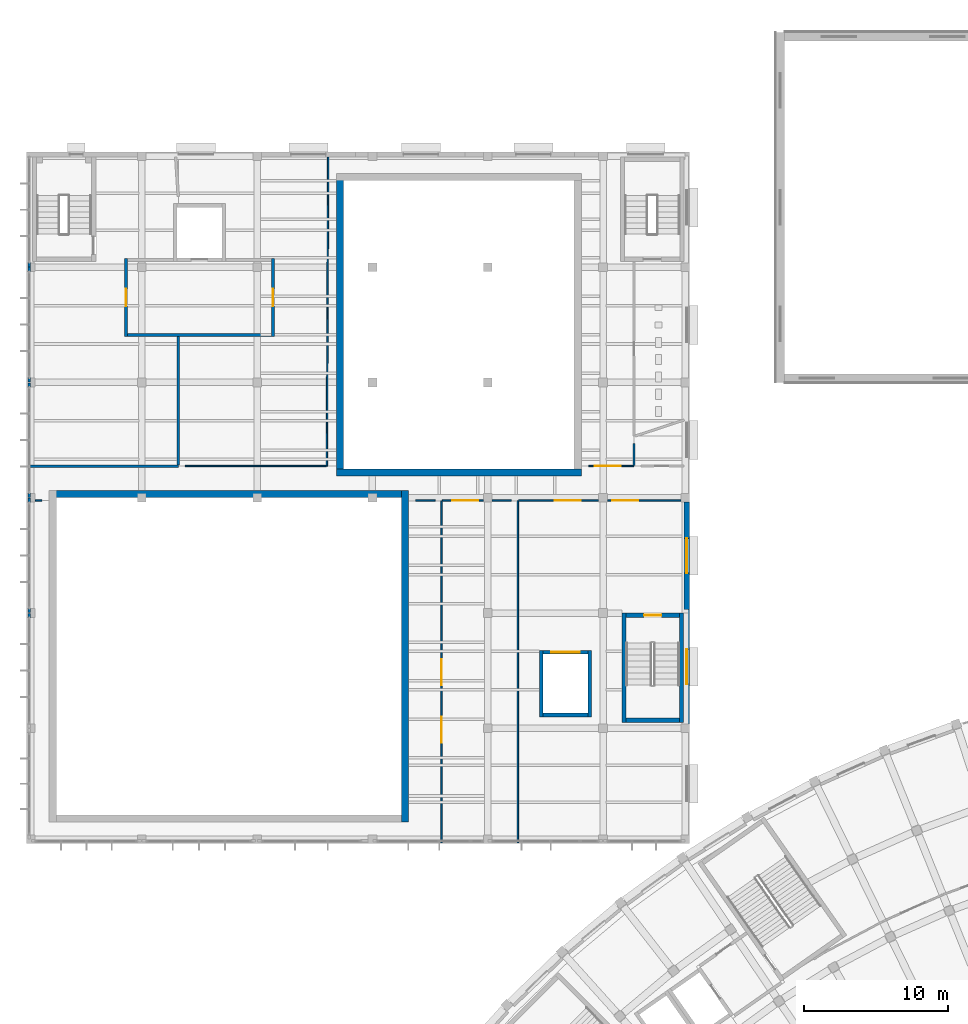
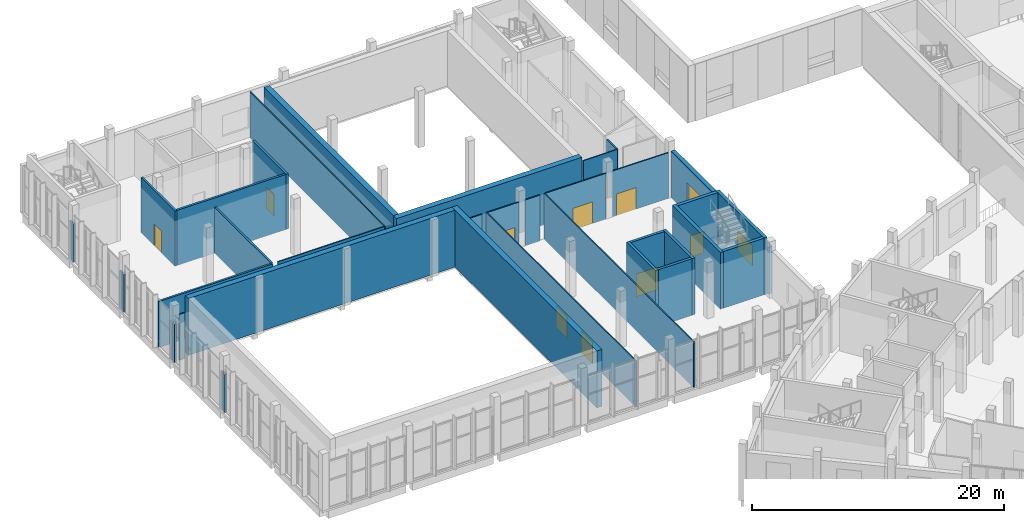
# One storey, part 36 of 87: 39 walls, 10 doors, 2 windows, 12 openings.
"""IFC4 building model written with IfcOpenShell, lengths in metres."""

from ifc_helpers import new_model, si_unit, direction, frame, frame_2d, origin, place, context, subcontext, project, spatial, rectangle, extrude, material, layer, layer_set, type_object, element, fill, save


model = new_model("IFC4")

# Units and contexts
model_context = context("Model", 3, precision=1e-05, world=origin(), true_north=direction((0.0, 1.0)))
body_context = subcontext(model_context, "Body", "Model", "MODEL_VIEW")
ifc_project = project(units=[si_unit("LENGTHUNIT", "METRE"), si_unit("AREAUNIT", "SQUARE_METRE"), si_unit("VOLUMEUNIT", "CUBIC_METRE"), si_unit("PLANEANGLEUNIT", "RADIAN"), si_unit("MASSUNIT", "GRAM", prefix="KILO")], contexts=[model_context])

# Site, building, storey
site_placement = place(None, origin())
site = spatial("IfcSite", under=ifc_project, at=site_placement, CompositionType="ELEMENT")
building_placement = place(site_placement, origin())
building = spatial("IfcBuilding", under=site, at=building_placement, Name="Lunette Opera House", CompositionType="ELEMENT")
storey_placement = place(building_placement, frame((0.0, 0.0, 11.5)))
storey = spatial("IfcBuildingStorey", under=building, at=storey_placement, Name="L02", CompositionType="ELEMENT", Elevation=11.5)

# Walls
ifc_material_1 = material(Name="Plastered clay blockwork", Category="masonry")
ifc_layer_1 = layer(ifc_material_1, 0.175048828125)
ifc_layer_set_1 = layer_set([ifc_layer_1], Name="Plastered clay blockwork")
wall_type_1 = type_object("IfcWallType", Name="ACOUSTIC BLOCK PARTITION 175", PredefinedType="PARTITIONING", material=ifc_layer_set_1)
wall_1_placement = place(storey_placement, frame((18.52392578125, 90.199951171875, 0.0), z_axis=(0.0, 0.0, 1.0), x_axis=(-1.0, 0.0, 0.0)))
element("IfcWall", 1, at=wall_1_placement, inside=storey, type_object=wall_type_1, Name="Partition Corridor L02 Rehearsal", PredefinedType="PARTITIONING", context=body_context, shape_type="SweptSolid", body=[
    extrude(rectangle(XDim=10.473876953125, YDim=0.175048828125, at=frame_2d((5.23681640625, 0.0))), origin(), (0.0, 0.0, 1.0), 4.449951171875),
])
wall_2_placement = place(storey_placement, frame((18.52392578125, 99.199951171875, 0.0), z_axis=(0.0, 0.0, 1.0), x_axis=(0.0, -1.0, 0.0)))
element("IfcWall", 2, at=wall_2_placement, inside=storey, type_object=wall_type_1, Name="Partition Soloists' Studio", PredefinedType="PARTITIONING", context=body_context, shape_type="SweptSolid", body=[
    extrude(rectangle(XDim=8.911865234375, YDim=0.175048828125, at=frame_2d((4.4560546875, 0.0))), origin(), (0.0, 0.0, 1.0), 4.449951171875),
])
ifc_material_2 = material(Name="Plastered clay blockwork", Category="masonry")
ifc_layer_2 = layer(ifc_material_2, 0.14990234375)
ifc_layer_set_2 = layer_set([ifc_layer_2], Name="Plastered clay blockwork")
wall_type_2 = type_object("IfcWallType", Name="BLOCK PARTITION 150", PredefinedType="PARTITIONING", material=ifc_layer_set_2)
wall_3_placement = place(storey_placement, frame((50.14892578125, 91.778076171875, 0.0), z_axis=(0.0, 0.0, 1.0), x_axis=(0.0, -1.0, 0.0)))
element("IfcWall", 3, at=wall_3_placement, inside=storey, type_object=wall_type_2, Name="Partition Accessible WC L02 Rehearsal", PredefinedType="PARTITIONING", context=body_context, shape_type="SweptSolid", body=[
    extrude(rectangle(XDim=1.527099609375, YDim=0.14990234375, at=frame_2d((0.763671875, 0.0))), origin(), (0.0, 0.0, 1.0), 4.449951171875),
])
ifc_material_3 = material(Name="Insulated aluminium sandwich panel", Category="aluminium")
ifc_layer_3 = layer(ifc_material_3, 0.179931640625)
ifc_layer_set_3 = layer_set([ifc_layer_3], Name="Insulated aluminium sandwich panel")
wall_type_3 = type_object("IfcWallType", Name="CURTAIN WALL INFILL 180", PredefinedType="SOLIDWALL", material=ifc_layer_set_3)
for number, where, z_axis, x_axis, name in (
    (4, (8.181884765625, 104.330078125, 0.0), (0.0, 0.0, 1.0), (0.0, -1.0, 0.0), "Curtain Wall Infill 180 IN61 L02"),
    (5, (8.181884765625, 96.330078125, 0.0), (0.0, 0.0, 1.0), (0.0, -1.0, 0.0), "Curtain Wall Infill 180 IN62 L02"),
):
    element("IfcWall", number, at=place(storey_placement, frame(where, z_axis=z_axis, x_axis=x_axis)), inside=storey, type_object=wall_type_3, Name=name, PredefinedType="SOLIDWALL", context=body_context, shape_type="SweptSolid", body=[
        extrude(rectangle(XDim=0.30517578125, YDim=0.179931640625, at=frame_2d((0.152587890625, 0.0))), origin(), (0.0, 0.0, 1.0), 3.699951171875),
    ])
wall_4_placement = place(storey_placement, frame((8.181884765625, 103.696044921875, 0.0), z_axis=(0.0, 0.0, 1.0), x_axis=(0.0, 1.0, 0.0)))
element("IfcWall", 6, at=wall_4_placement, inside=storey, type_object=wall_type_3, Name="Curtain Wall Infill 180 IN63 L02", PredefinedType="SOLIDWALL", context=body_context, shape_type="SweptSolid", body=[
    extrude(rectangle(XDim=0.304931640625, YDim=0.179931640625, at=frame_2d((0.15234375, 0.0))), origin(), (0.0, 0.0, 1.0), 3.699951171875),
])
for number, where, z_axis, x_axis, name in (
    (7, (8.181884765625, 88.330078125, 0.0), (0.0, 0.0, 1.0), (0.0, -1.0, 0.0), "Curtain Wall Infill 180 IN64 L02"),
    (8, (8.181884765625, 95.669921875, 0.0), (0.0, 0.0, 1.0), (0.0, 1.0, 0.0), "Curtain Wall Infill 180 IN65 L02"),
    (9, (8.181884765625, 80.330078125, 0.0), (0.0, 0.0, 1.0), (0.0, -1.0, 0.0), "Curtain Wall Infill 180 IN66 L02"),
    (10, (8.181884765625, 87.669921875, 0.0), (0.0, 0.0, 1.0), (0.0, 1.0, 0.0), "Curtain Wall Infill 180 IN67 L02"),
    (11, (8.181884765625, 79.669921875, 0.0), (0.0, 0.0, 1.0), (0.0, 1.0, 0.0), "Curtain Wall Infill 180 IN69 L02"),
):
    element("IfcWall", number, at=place(storey_placement, frame(where, z_axis=z_axis, x_axis=x_axis)), inside=storey, type_object=wall_type_3, Name=name, PredefinedType="SOLIDWALL", context=body_context, shape_type="SweptSolid", body=[
        extrude(rectangle(XDim=0.30517578125, YDim=0.179931640625, at=frame_2d((0.152587890625, 0.0))), origin(), (0.0, 0.0, 1.0), 3.699951171875),
    ])

# Wall, opening, door
ifc_material_4 = material(Name="Concrete C35/45", Category="concrete")
ifc_layer_4 = layer(ifc_material_4, 0.199951171875)
ifc_layer_set_4 = layer_set([ifc_layer_4], Name="Concrete C35/45")
wall_type_4 = type_object("IfcWallType", Name="LOBBY WALL 200", PredefinedType="PARTITIONING", material=ifc_layer_set_4)
wall_5_placement = place(storey_placement, frame((25.10009765625, 99.199951171875, 0.0), z_axis=(0.0, 0.0, 1.0), x_axis=(0.0, 1.0, 0.0)))
wall_5 = element("IfcWall", 12, at=wall_5_placement, inside=storey, type_object=wall_type_4, Name="LL-R lobby wall 1a", PredefinedType="PARTITIONING", context=body_context, shape_type="SweptSolid", body=[
    extrude(rectangle(XDim=5.400146484375, YDim=0.199951171875, at=frame_2d((2.7001953125, 0.0))), origin(), (0.0, 0.0, 1.0), 5.35009765625),
])
opening_1_placement = place(wall_5_placement, frame((2.10009765625, 0.0, 0.0)))
opening_1 = element("IfcOpeningElement", 13, at=opening_1_placement, cuts=wall_5, Name="Opening RW-D7023", PredefinedType="OPENING", context=body_context, shape_type="SweptSolid", body=[
    extrude(rectangle(XDim=1.199951171875, YDim=2.10009765625, at=frame_2d((0.60009765625, 1.050048828125))), frame((0.0, 0.112060546875, 0.0), z_axis=(0.0, -1.0, 0.0), x_axis=(1.0, 0.0, 0.0)), (0.0, 0.0, 1.0), 0.223876953125),
])
ifc_material_5 = material(Name="Steel", Category="steel")
door_type_1 = type_object("IfcDoorType", Name="FIRE DOOR 1200 X 2100", OperationType="SINGLE_SWING_LEFT", PredefinedType="DOOR", material=ifc_material_5)
door_1_placement = place(opening_1_placement, origin())
door_1 = element("IfcDoor", 14, at=door_1_placement, inside=storey, type_object=door_type_1, Name="LL-R lobby door", OperationType="SINGLE_SWING_LEFT", OverallHeight=2.10009765625, OverallWidth=1.199951171875, PredefinedType="DOOR", context=body_context, shape_type="SweptSolid", body=[
    extrude(rectangle(XDim=1.199951171875, YDim=2.10009765625, at=frame_2d((0.60009765625, 1.050048828125))), frame((0.0, 0.02490234375, 0.0), z_axis=(0.0, -1.0, 0.0), x_axis=(1.0, 0.0, 0.0)), (0.0, 0.0, 1.0), 0.050048828125),
])
fill(opening_1, door_1)

wall_6_placement = place(storey_placement, frame((14.89990234375, 104.60009765625, 0.0), z_axis=(0.0, 0.0, 1.0), x_axis=(0.0, -1.0, 0.0)))
wall_6 = element("IfcWall", 15, at=wall_6_placement, inside=storey, type_object=wall_type_4, Name="LL-R lobby wall 3a", PredefinedType="PARTITIONING", context=body_context, shape_type="SweptSolid", body=[
    extrude(rectangle(XDim=5.400146484375, YDim=0.199951171875, at=frame_2d((2.7001953125, 0.0))), origin(), (0.0, 0.0, 1.0), 5.35009765625),
])
opening_2_placement = place(wall_6_placement, frame((2.10009765625, 0.0, 0.0)))
opening_2 = element("IfcOpeningElement", 16, at=opening_2_placement, cuts=wall_6, Name="Opening RW-D7024", PredefinedType="OPENING", context=body_context, shape_type="SweptSolid", body=[
    extrude(rectangle(XDim=1.199951171875, YDim=2.10009765625, at=frame_2d((0.60009765625, 1.050048828125))), frame((0.0, 0.112060546875, 0.0), z_axis=(0.0, -1.0, 0.0), x_axis=(1.0, 0.0, 0.0)), (0.0, 0.0, 1.0), 0.223876953125),
])
door_2_placement = place(opening_2_placement, origin())
door_2 = element("IfcDoor", 17, at=door_2_placement, inside=storey, type_object=door_type_1, Name="LL-R lobby door", OperationType="SINGLE_SWING_LEFT", OverallHeight=2.10009765625, OverallWidth=1.199951171875, PredefinedType="DOOR", context=body_context, shape_type="SweptSolid", body=[
    extrude(rectangle(XDim=1.199951171875, YDim=2.10009765625, at=frame_2d((0.60009765625, 1.050048828125))), frame((0.0, 0.02490234375, 0.0), z_axis=(0.0, -1.0, 0.0), x_axis=(1.0, 0.0, 0.0)), (0.0, 0.0, 1.0), 0.050048828125),
])
fill(opening_2, door_2)

# Walls
wall_7_placement = place(storey_placement, frame((15.0, 99.300048828125, 0.0), z_axis=(0.0, 0.0, 1.0), x_axis=(1.0, 0.0, 0.0)))
element("IfcWall", 18, at=wall_7_placement, inside=storey, type_object=wall_type_4, Name="LL-R lobby wall 4a", PredefinedType="PARTITIONING", context=body_context, shape_type="SweptSolid", body=[
    extrude(rectangle(XDim=10.0, YDim=0.199951171875, at=frame_2d((5.0, 0.0))), origin(), (0.0, 0.0, 1.0), 5.35009765625),
])
ifc_material_6 = material(Name="Concrete C35/45", Category="concrete")
ifc_layer_5 = layer(ifc_material_6, 0.25)
ifc_layer_set_5 = layer_set([ifc_layer_5], Name="Concrete C35/45")
wall_type_5 = type_object("IfcWallType", Name="RC LIFT SHAFT WALL 250", PredefinedType="SOLIDWALL", material=ifc_layer_set_5)
wall_8_placement = place(storey_placement, frame((47.074951171875, 72.800048828125, 0.0), z_axis=(0.0, 0.0, 1.0), x_axis=(0.0, 1.0, 0.0)))
element("IfcWall", 19, at=wall_8_placement, inside=storey, type_object=wall_type_5, Name="LG1 shaft wall 1", PredefinedType="SOLIDWALL", context=body_context, shape_type="SweptSolid", body=[
    extrude(rectangle(XDim=4.599853515625, YDim=0.25, at=frame_2d((2.2998046875, 0.0))), origin(), (0.0, 0.0, 1.0), 5.5),
])

# Wall, opening, door
wall_9_placement = place(storey_placement, frame((46.949951171875, 77.27490234375, 0.0), z_axis=(0.0, 0.0, 1.0), x_axis=(-1.0, 0.0, 0.0)))
wall_9 = element("IfcWall", 20, at=wall_9_placement, inside=storey, type_object=wall_type_5, Name="LG1 shaft wall 2", PredefinedType="SOLIDWALL", context=body_context, shape_type="SweptSolid", body=[
    extrude(rectangle(XDim=3.099853515625, YDim=0.25, at=frame_2d((1.5498046875, 0.0))), origin(), (0.0, 0.0, 1.0), 5.5),
])
opening_3_placement = place(wall_9_placement, frame((0.550048828125, 0.0, 0.0)))
opening_3 = element("IfcOpeningElement", 21, at=opening_3_placement, cuts=wall_9, Name="Opening RW-LD010", PredefinedType="OPENING", context=body_context, shape_type="SweptSolid", body=[
    extrude(rectangle(XDim=2.0, YDim=2.199951171875, at=frame_2d((1.0, 1.10009765625))), frame((0.0, 0.136962890625, 0.0), z_axis=(0.0, -1.0, 0.0), x_axis=(1.0, 0.0, 0.0)), (0.0, 0.0, 1.0), 0.27392578125),
])
ifc_material_7 = material(Name="Stainless steel", Category="steel")
door_type_2 = type_object("IfcDoorType", Name="LIFT LANDING DOOR 2000 X 2200", OperationType="DOUBLE_DOOR_SLIDING", PredefinedType="DOOR", material=ifc_material_7)
door_3_placement = place(opening_3_placement, origin())
door_3 = element("IfcDoor", 22, at=door_3_placement, inside=storey, type_object=door_type_2, Name="LG1 lift landing door", OperationType="DOUBLE_DOOR_SLIDING", OverallHeight=2.199951171875, OverallWidth=2.0, PredefinedType="DOOR", context=body_context, shape_type="SweptSolid", body=[
    extrude(rectangle(XDim=2.0, YDim=2.199951171875, at=frame_2d((1.0, 1.10009765625))), frame((0.0, 0.02490234375, 0.0), z_axis=(0.0, -1.0, 0.0), x_axis=(1.0, 0.0, 0.0)), (0.0, 0.0, 1.0), 0.050048828125),
])
fill(opening_3, door_3)

# Walls
wall_10_placement = place(storey_placement, frame((43.72509765625, 77.39990234375, 0.0), z_axis=(0.0, 0.0, 1.0), x_axis=(0.0, -1.0, 0.0)))
element("IfcWall", 23, at=wall_10_placement, inside=storey, type_object=wall_type_5, Name="LG1 shaft wall 3", PredefinedType="SOLIDWALL", context=body_context, shape_type="SweptSolid", body=[
    extrude(rectangle(XDim=4.599853515625, YDim=0.25, at=frame_2d((2.2998046875, 0.0))), origin(), (0.0, 0.0, 1.0), 5.5),
])
wall_11_placement = place(storey_placement, frame((43.85009765625, 72.925048828125, 0.0), z_axis=(0.0, 0.0, 1.0), x_axis=(1.0, 0.0, 0.0)))
element("IfcWall", 24, at=wall_11_placement, inside=storey, type_object=wall_type_5, Name="LG1 shaft wall 4", PredefinedType="SOLIDWALL", context=body_context, shape_type="SweptSolid", body=[
    extrude(rectangle(XDim=3.099853515625, YDim=0.25, at=frame_2d((1.5498046875, 0.0))), origin(), (0.0, 0.0, 1.0), 5.5),
])
ifc_material_8 = material(Name="Concrete C35/45", Category="concrete")
ifc_layer_6 = layer(ifc_material_8, 0.300048828125)
ifc_layer_set_6 = layer_set([ifc_layer_6], Name="Concrete C35/45")
wall_type_6 = type_object("IfcWallType", Name="RC STAIR ENCLOSURE WALL 300", PredefinedType="SOLIDWALL", material=ifc_layer_set_6)
wall_12_placement = place(storey_placement, frame((53.449951171875, 72.39990234375, 0.0), z_axis=(0.0, 0.0, 1.0), x_axis=(0.0, 1.0, 0.0)))
element("IfcWall", 25, at=wall_12_placement, inside=storey, type_object=wall_type_6, Name="ST16 enclosure wall 1", PredefinedType="SOLIDWALL", context=body_context, shape_type="SweptSolid", body=[
    extrude(rectangle(XDim=7.60009765625, YDim=0.300048828125, at=frame_2d((3.800048828125, 0.0))), origin(), (0.0, 0.0, 1.0), 5.5),
])

# Wall, opening, door
wall_13_placement = place(storey_placement, frame((53.300048828125, 79.85009765625, 0.0), z_axis=(0.0, 0.0, 1.0), x_axis=(-1.0, 0.0, 0.0)))
wall_13 = element("IfcWall", 26, at=wall_13_placement, inside=storey, type_object=wall_type_6, Name="ST16 enclosure wall 2", PredefinedType="SOLIDWALL", context=body_context, shape_type="SweptSolid", body=[
    extrude(rectangle(XDim=3.699951171875, YDim=0.300048828125, at=frame_2d((1.85009765625, 0.0))), origin(), (0.0, 0.0, 1.0), 5.5),
])
opening_4_placement = place(wall_13_placement, frame((1.25, 0.0, 0.0)))
opening_4 = element("IfcOpeningElement", 27, at=opening_4_placement, cuts=wall_13, Name="Opening RW-D7010", PredefinedType="OPENING", context=body_context, shape_type="SweptSolid", body=[
    extrude(rectangle(XDim=1.199951171875, YDim=2.10009765625, at=frame_2d((0.60009765625, 1.050048828125))), frame((0.0, 0.162109375, 0.0), z_axis=(0.0, -1.0, 0.0), x_axis=(1.0, 0.0, 0.0)), (0.0, 0.0, 1.0), 0.323974609375),
])
door_4_placement = place(opening_4_placement, origin())
door_4 = element("IfcDoor", 28, at=door_4_placement, inside=storey, type_object=door_type_1, Name="ST16 stair door", OperationType="SINGLE_SWING_LEFT", OverallHeight=2.10009765625, OverallWidth=1.199951171875, PredefinedType="DOOR", context=body_context, shape_type="SweptSolid", body=[
    extrude(rectangle(XDim=1.199951171875, YDim=2.10009765625, at=frame_2d((0.60009765625, 1.050048828125))), frame((0.0, 0.02490234375, 0.0), z_axis=(0.0, -1.0, 0.0), x_axis=(1.0, 0.0, 0.0)), (0.0, 0.0, 1.0), 0.050048828125),
])
fill(opening_4, door_4)

# Walls
wall_14_placement = place(storey_placement, frame((49.449951171875, 80.0, 0.0), z_axis=(0.0, 0.0, 1.0), x_axis=(0.0, -1.0, 0.0)))
element("IfcWall", 29, at=wall_14_placement, inside=storey, type_object=wall_type_6, Name="ST16 enclosure wall 3", PredefinedType="SOLIDWALL", context=body_context, shape_type="SweptSolid", body=[
    extrude(rectangle(XDim=7.60009765625, YDim=0.300048828125, at=frame_2d((3.800048828125, 0.0))), origin(), (0.0, 0.0, 1.0), 5.5),
])
wall_15_placement = place(storey_placement, frame((49.60009765625, 72.550048828125, 0.0), z_axis=(0.0, 0.0, 1.0), x_axis=(1.0, 0.0, 0.0)))
element("IfcWall", 30, at=wall_15_placement, inside=storey, type_object=wall_type_6, Name="ST16 enclosure wall 4", PredefinedType="SOLIDWALL", context=body_context, shape_type="SweptSolid", body=[
    extrude(rectangle(XDim=3.699951171875, YDim=0.300048828125, at=frame_2d((1.85009765625, 0.0))), origin(), (0.0, 0.0, 1.0), 5.5),
])
ifc_material_9 = material(Name="Concrete C35/45", Category="concrete")
ifc_layer_7 = layer(ifc_material_9, 0.5)
ifc_layer_set_7 = layer_set([ifc_layer_7], Name="Concrete C35/45")
wall_type_7 = type_object("IfcWallType", Name="RC WALL 500", PredefinedType="SHEAR", material=ifc_layer_set_7)
wall_16_placement = place(storey_placement, frame((29.5, 89.75, 0.0), z_axis=(0.0, 0.0, 1.0), x_axis=(1.0, 0.0, 0.0)))
element("IfcWall", 31, at=wall_16_placement, inside=storey, type_object=wall_type_7, Name="wall-RW-L02-OH-S-1", PredefinedType="SHEAR", context=body_context, shape_type="SweptSolid", body=[
    extrude(rectangle(XDim=17.0, YDim=0.5, at=frame_2d((8.5, 0.0))), origin(), (0.0, 0.0, 1.0), 5.35009765625),
])
wall_17_placement = place(storey_placement, frame((29.75, 89.5, 0.0), z_axis=(0.0, 0.0, 1.0), x_axis=(0.0, 1.0, 0.0)))
element("IfcWall", 32, at=wall_17_placement, inside=storey, type_object=wall_type_7, Name="wall-RW-L02-OH-W-1", PredefinedType="SHEAR", context=body_context, shape_type="SweptSolid", body=[
    extrude(rectangle(XDim=21.0, YDim=0.5, at=frame_2d((10.5, 0.0))), origin(), (0.0, 0.0, 1.0), 5.35009765625),
])
wall_18_placement = place(storey_placement, frame((9.56005859375, 88.25, 0.0), z_axis=(0.0, 0.0, 1.0), x_axis=(1.0, 0.0, 0.0)))
element("IfcWall", 33, at=wall_18_placement, inside=storey, type_object=wall_type_7, Name="wall-RW-L02-HW-N-1", PredefinedType="SHEAR", context=body_context, shape_type="SweptSolid", body=[
    extrude(rectangle(XDim=24.93994140625, YDim=0.5, at=frame_2d((12.469970703125, 0.0))), origin(), (0.0, 0.0, 1.0), 5.5),
])
wall_19_placement = place(storey_placement, frame((34.25, 65.5, 0.0), z_axis=(0.0, 0.0, 1.0), x_axis=(0.0, 1.0, 0.0)))
element("IfcWall", 34, at=wall_19_placement, inside=storey, type_object=wall_type_7, Name="wall-RW-L02-HW-E-1", PredefinedType="SHEAR", context=body_context, shape_type="SweptSolid", body=[
    extrude(rectangle(XDim=23.0, YDim=0.5, at=frame_2d((11.5, 0.0))), origin(), (0.0, 0.0, 1.0), 5.5),
])

# Wall, opening, window
ifc_material_10 = material(Name="Clinker brick", Category="masonry")
ifc_layer_8 = layer(ifc_material_10, 0.364990234375)
ifc_layer_set_8 = layer_set([ifc_layer_8], Name="Clinker brick")
wall_type_8 = type_object("IfcWallType", Name="REHEARSAL BRICK WALL 365", PredefinedType="SOLIDWALL", material=ifc_layer_set_8)
wall_20_placement = place(storey_placement, frame((53.818115234375, 72.303955078125, 0.0), z_axis=(0.0, 0.0, 1.0), x_axis=(0.0, 1.0, 0.0)))
wall_20 = element("IfcWall", 35, at=wall_20_placement, inside=storey, type_object=wall_type_8, Name="Rehearsal Brick Wall 365 F02 L02", PredefinedType="SOLIDWALL", context=body_context, shape_type="SweptSolid", body=[
    extrude(rectangle(XDim=7.93896484375, YDim=0.364990234375, at=frame_2d((3.969482421875, 0.0))), origin(), (0.0, 0.0, 1.0), 4.550048828125),
])
opening_5_placement = place(wall_20_placement, frame((2.76904296875, 0.0, 1.0)))
opening_5 = element("IfcOpeningElement", 36, at=opening_5_placement, cuts=wall_20, Name="Opening RW-N2026", PredefinedType="OPENING", context=body_context, shape_type="SweptSolid", body=[
    extrude(rectangle(XDim=2.39990234375, YDim=2.0, at=frame_2d((1.199951171875, 1.0))), frame((0.0, 0.194580078125, 0.0), z_axis=(0.0, -1.0, 0.0), x_axis=(1.0, 0.0, 0.0)), (0.0, 0.0, 1.0), 0.388916015625),
])
ifc_material_11 = material(Name="Aluminium", Category="aluminium")
window_type = type_object("IfcWindowType", Name="REHEARSAL WINDOW 2400 X 2000", PartitioningType="DOUBLE_PANEL_VERTICAL", PredefinedType="WINDOW", material=ifc_material_11)
window_1_placement = place(opening_5_placement, origin())
window_1 = element("IfcWindow", 37, at=window_1_placement, inside=storey, type_object=window_type, Name="Rehearsal Window 2400 X 2000 F02 L02", OverallHeight=2.0, OverallWidth=2.39990234375, PartitioningType="DOUBLE_PANEL_VERTICAL", PredefinedType="WINDOW", context=body_context, shape_type="SweptSolid", body=[
    extrude(rectangle(XDim=2.39990234375, YDim=2.0, at=frame_2d((1.199951171875, 1.0))), frame((0.0, 0.030029296875, 0.0), z_axis=(0.0, -1.0, 0.0), x_axis=(1.0, 0.0, 0.0)), (0.0, 0.0, 1.0), 0.06005859375),
])
fill(opening_5, window_1)

wall_21_placement = place(storey_placement, frame((53.818115234375, 80.242919921875, 0.0), z_axis=(0.0, 0.0, 1.0), x_axis=(0.0, 1.0, 0.0)))
wall_21 = element("IfcWall", 38, at=wall_21_placement, inside=storey, type_object=wall_type_8, Name="Rehearsal Brick Wall 365 F03 L02", PredefinedType="SOLIDWALL", context=body_context, shape_type="SweptSolid", body=[
    extrude(rectangle(XDim=7.45703125, YDim=0.364990234375, at=frame_2d((3.728515625, 0.0))), origin(), (0.0, 0.0, 1.0), 4.550048828125),
])
opening_6_placement = place(wall_21_placement, frame((2.529052734375, 0.0, 1.0)))
opening_6 = element("IfcOpeningElement", 39, at=opening_6_placement, cuts=wall_21, Name="Opening RW-N2027", PredefinedType="OPENING", context=body_context, shape_type="SweptSolid", body=[
    extrude(rectangle(XDim=2.39990234375, YDim=2.0, at=frame_2d((1.199951171875, 1.0))), frame((0.0, 0.194580078125, 0.0), z_axis=(0.0, -1.0, 0.0), x_axis=(1.0, 0.0, 0.0)), (0.0, 0.0, 1.0), 0.388916015625),
])
window_2_placement = place(opening_6_placement, origin())
window_2 = element("IfcWindow", 40, at=window_2_placement, inside=storey, type_object=window_type, Name="Rehearsal Window 2400 X 2000 F03 L02", OverallHeight=2.0, OverallWidth=2.39990234375, PartitioningType="DOUBLE_PANEL_VERTICAL", PredefinedType="WINDOW", context=body_context, shape_type="SweptSolid", body=[
    extrude(rectangle(XDim=2.39990234375, YDim=2.0, at=frame_2d((1.199951171875, 1.0))), frame((0.0, 0.030029296875, 0.0), z_axis=(0.0, -1.0, 0.0), x_axis=(1.0, 0.0, 0.0)), (0.0, 0.0, 1.0), 0.06005859375),
])
fill(opening_6, window_2)

# Wall, openings, doors
ifc_material_12 = material(Name="Gypsum board on steel studs", Category="steel")
ifc_layer_9 = layer(ifc_material_12, 0.10009765625)
ifc_layer_set_9 = layer_set([ifc_layer_9], Name="Gypsum board on steel studs")
wall_type_9 = type_object("IfcWallType", Name="STUD PARTITION 100", PredefinedType="PARTITIONING", material=ifc_layer_set_9)
wall_22_placement = place(storey_placement, frame((36.794921875, 87.800048828125, 0.0), z_axis=(0.0, 0.0, 1.0), x_axis=(0.0, -1.0, 0.0)))
wall_22 = element("IfcWall", 41, at=wall_22_placement, inside=storey, type_object=wall_type_9, Name="Partition Repetiteur Rooms", PredefinedType="PARTITIONING", context=body_context, shape_type="SweptSolid", body=[
    extrude(rectangle(XDim=23.75, YDim=0.10009765625, at=frame_2d((11.875, 0.0))), origin(), (0.0, 0.0, 1.0), 4.449951171875),
])
opening_7_placement = place(wall_22_placement, frame((11.0, 0.0, 0.0)))
opening_7 = element("IfcOpeningElement", 42, at=opening_7_placement, cuts=wall_22, Name="Opening RW-D3028", PredefinedType="OPENING", context=body_context, shape_type="SweptSolid", body=[
    extrude(rectangle(XDim=1.800048828125, YDim=2.10009765625, at=frame_2d((0.89990234375, 1.050048828125))), frame((0.0, 0.06201171875, 0.0), z_axis=(0.0, -1.0, 0.0), x_axis=(1.0, 0.0, 0.0)), (0.0, 0.0, 1.0), 0.1240234375),
])
opening_8_placement = place(wall_22_placement, frame((15.0, 0.0, 0.0)))
opening_8 = element("IfcOpeningElement", 43, at=opening_8_placement, cuts=wall_22, Name="Opening RW-D3029", PredefinedType="OPENING", context=body_context, shape_type="SweptSolid", body=[
    extrude(rectangle(XDim=1.800048828125, YDim=2.10009765625, at=frame_2d((0.89990234375, 1.050048828125))), frame((0.0, 0.06201171875, 0.0), z_axis=(0.0, -1.0, 0.0), x_axis=(1.0, 0.0, 0.0)), (0.0, 0.0, 1.0), 0.1240234375),
])
ifc_material_13 = material(Name="Timber", Category="wood")
door_type_3 = type_object("IfcDoorType", Name="DOUBLE FLUSH DOOR 1800 X 2100", OperationType="DOUBLE_DOOR_SINGLE_SWING", PredefinedType="DOOR", material=ifc_material_13)
door_5_placement = place(opening_7_placement, origin())
door_5 = element("IfcDoor", 44, at=door_5_placement, inside=storey, type_object=door_type_3, Name="Chorus Rehearsal Room 2 door", OperationType="DOUBLE_DOOR_SINGLE_SWING", OverallHeight=2.10009765625, OverallWidth=1.800048828125, PredefinedType="DOOR", context=body_context, shape_type="SweptSolid", body=[
    extrude(rectangle(XDim=1.800048828125, YDim=2.10009765625, at=frame_2d((0.89990234375, 1.050048828125))), frame((0.0, 0.02490234375, 0.0), z_axis=(0.0, -1.0, 0.0), x_axis=(1.0, 0.0, 0.0)), (0.0, 0.0, 1.0), 0.050048828125),
])
fill(opening_7, door_5)
door_6_placement = place(opening_8_placement, origin())
door_6 = element("IfcDoor", 45, at=door_6_placement, inside=storey, type_object=door_type_3, Name="Chorus Rehearsal Room 2 door", OperationType="DOUBLE_DOOR_SINGLE_SWING", OverallHeight=2.10009765625, OverallWidth=1.800048828125, PredefinedType="DOOR", context=body_context, shape_type="SweptSolid", body=[
    extrude(rectangle(XDim=1.800048828125, YDim=2.10009765625, at=frame_2d((0.89990234375, 1.050048828125))), frame((0.0, 0.02490234375, 0.0), z_axis=(0.0, -1.0, 0.0), x_axis=(1.0, 0.0, 0.0)), (0.0, 0.0, 1.0), 0.050048828125),
])
fill(opening_8, door_6)

# Walls
wall_23_placement = place(storey_placement, frame((42.093017578125, 87.800048828125, 0.0), z_axis=(0.0, 0.0, 1.0), x_axis=(0.0, -1.0, 0.0)))
element("IfcWall", 46, at=wall_23_placement, inside=storey, type_object=wall_type_9, Name="Partition Administration Offices", PredefinedType="PARTITIONING", context=body_context, shape_type="SweptSolid", body=[
    extrude(rectangle(XDim=23.75, YDim=0.10009765625, at=frame_2d((11.875, 0.0))), origin(), (0.0, 0.0, 1.0), 4.449951171875),
])
wall_24_placement = place(storey_placement, frame((28.927978515625, 111.634033203125, 0.0), z_axis=(0.0, 0.0, 1.0), x_axis=(-0.004385223343, -0.999990384862, 0.0)))
element("IfcWall", 47, at=wall_24_placement, inside=storey, type_object=wall_type_9, Name="Partition Dance Wardrobe", PredefinedType="PARTITIONING", context=body_context, shape_type="SweptSolid", body=[
    extrude(rectangle(XDim=21.434326171875, YDim=0.10009765625, at=frame_2d((10.71728515625, 0.0))), origin(), (0.0, 0.0, 1.0), 4.449951171875),
])

# Wall, opening, door
wall_25_placement = place(storey_placement, frame((42.14404296875, 87.800048828125, 0.0), z_axis=(0.0, 0.0, 1.0), x_axis=(1.0, 0.0, 0.0)))
wall_25 = element("IfcWall", 48, at=wall_25_placement, inside=storey, type_object=wall_type_9, Name="Partition Corridor L02 Rehearsal", PredefinedType="PARTITIONING", context=body_context, shape_type="SweptSolid", body=[
    extrude(rectangle(XDim=5.555908203125, YDim=0.10009765625, at=frame_2d((2.77783203125, 0.0))), origin(), (0.0, 0.0, 1.0), 4.449951171875),
])
opening_9_placement = place(wall_25_placement, frame((2.5029296875, 0.0, 0.0)))
opening_9 = element("IfcOpeningElement", 49, at=opening_9_placement, cuts=wall_25, Name="Opening RW-D3033", PredefinedType="OPENING", context=body_context, shape_type="SweptSolid", body=[
    extrude(rectangle(XDim=1.800048828125, YDim=2.10009765625, at=frame_2d((0.89990234375, 1.050048828125))), frame((0.0, 0.06201171875, 0.0), z_axis=(0.0, -1.0, 0.0), x_axis=(1.0, 0.0, 0.0)), (0.0, 0.0, 1.0), 0.1240234375),
])
door_7_placement = place(opening_9_placement, origin())
door_7 = element("IfcDoor", 50, at=door_7_placement, inside=storey, type_object=door_type_3, Name="Administration Offices door", OperationType="DOUBLE_DOOR_SINGLE_SWING", OverallHeight=2.10009765625, OverallWidth=1.800048828125, PredefinedType="DOOR", context=body_context, shape_type="SweptSolid", body=[
    extrude(rectangle(XDim=1.800048828125, YDim=2.10009765625, at=frame_2d((0.89990234375, 1.050048828125))), frame((0.0, 0.02490234375, 0.0), z_axis=(0.0, -1.0, 0.0), x_axis=(1.0, 0.0, 0.0)), (0.0, 0.0, 1.0), 0.050048828125),
])
fill(opening_9, door_7)

wall_26_placement = place(storey_placement, frame((48.300048828125, 87.800048828125, 0.0), z_axis=(0.0, 0.0, 1.0), x_axis=(1.0, 0.0, 0.0)))
wall_26 = element("IfcWall", 51, at=wall_26_placement, inside=storey, type_object=wall_type_9, Name="Partition Corridor L02 Rehearsal", PredefinedType="PARTITIONING", context=body_context, shape_type="SweptSolid", body=[
    extrude(rectangle(XDim=5.099853515625, YDim=0.10009765625, at=frame_2d((2.5498046875, 0.0))), origin(), (0.0, 0.0, 1.0), 4.449951171875),
])
opening_10_placement = place(wall_26_placement, frame((0.346923828125, 0.0, 0.0)))
opening_10 = element("IfcOpeningElement", 52, at=opening_10_placement, cuts=wall_26, Name="Opening RW-D3032", PredefinedType="OPENING", context=body_context, shape_type="SweptSolid", body=[
    extrude(rectangle(XDim=1.800048828125, YDim=2.10009765625, at=frame_2d((0.89990234375, 1.050048828125))), frame((0.0, 0.06201171875, 0.0), z_axis=(0.0, -1.0, 0.0), x_axis=(1.0, 0.0, 0.0)), (0.0, 0.0, 1.0), 0.1240234375),
])
door_8_placement = place(opening_10_placement, origin())
door_8 = element("IfcDoor", 53, at=door_8_placement, inside=storey, type_object=door_type_3, Name="Administration Offices door", OperationType="DOUBLE_DOOR_SINGLE_SWING", OverallHeight=2.10009765625, OverallWidth=1.800048828125, PredefinedType="DOOR", context=body_context, shape_type="SweptSolid", body=[
    extrude(rectangle(XDim=1.800048828125, YDim=2.10009765625, at=frame_2d((0.89990234375, 1.050048828125))), frame((0.0, 0.02490234375, 0.0), z_axis=(0.0, -1.0, 0.0), x_axis=(1.0, 0.0, 0.0)), (0.0, 0.0, 1.0), 0.050048828125),
])
fill(opening_10, door_8)

# Wall
wall_27_placement = place(storey_placement, frame((28.783935546875, 90.199951171875, 0.0), z_axis=(0.0, 0.0, 1.0), x_axis=(-1.0, 0.0, 0.0)))
element("IfcWall", 54, at=wall_27_placement, inside=storey, type_object=wall_type_9, Name="Partition Corridor L02 Rehearsal", PredefinedType="PARTITIONING", context=body_context, shape_type="SweptSolid", body=[
    extrude(rectangle(XDim=9.760009765625, YDim=0.10009765625, at=frame_2d((4.8798828125, 0.0))), origin(), (0.0, 0.0, 1.0), 4.449951171875),
])

# Wall, opening, door
wall_28_placement = place(storey_placement, frame((36.845947265625, 87.800048828125, 0.0), z_axis=(0.0, 0.0, 1.0), x_axis=(1.0, 0.0, 0.0)))
wall_28 = element("IfcWall", 55, at=wall_28_placement, inside=storey, type_object=wall_type_9, Name="Partition Corridor L02 Rehearsal", PredefinedType="PARTITIONING", context=body_context, shape_type="SweptSolid", body=[
    extrude(rectangle(XDim=2.85400390625, YDim=0.10009765625, at=frame_2d((1.427001953125, 0.0))), origin(), (0.0, 0.0, 1.0), 4.449951171875),
])
opening_11_placement = place(wall_28_placement, frame((0.697998046875, 0.0, 0.0)))
opening_11 = element("IfcOpeningElement", 56, at=opening_11_placement, cuts=wall_28, Name="Opening RW-D3030", PredefinedType="OPENING", context=body_context, shape_type="SweptSolid", body=[
    extrude(rectangle(XDim=1.800048828125, YDim=2.10009765625, at=frame_2d((0.89990234375, 1.050048828125))), frame((0.0, 0.06201171875, 0.0), z_axis=(0.0, -1.0, 0.0), x_axis=(1.0, 0.0, 0.0)), (0.0, 0.0, 1.0), 0.1240234375),
])
door_9_placement = place(opening_11_placement, origin())
door_9 = element("IfcDoor", 57, at=door_9_placement, inside=storey, type_object=door_type_3, Name="Repetiteur Rooms door", OperationType="DOUBLE_DOOR_SINGLE_SWING", OverallHeight=2.10009765625, OverallWidth=1.800048828125, PredefinedType="DOOR", context=body_context, shape_type="SweptSolid", body=[
    extrude(rectangle(XDim=1.800048828125, YDim=2.10009765625, at=frame_2d((0.89990234375, 1.050048828125))), frame((0.0, 0.02490234375, 0.0), z_axis=(0.0, -1.0, 0.0), x_axis=(1.0, 0.0, 0.0)), (0.0, 0.0, 1.0), 0.050048828125),
])
fill(opening_11, door_9)

# Wall
wall_29_placement = place(storey_placement, frame((40.300048828125, 87.800048828125, 0.0), z_axis=(0.0, 0.0, 1.0), x_axis=(1.0, 0.0, 0.0)))
element("IfcWall", 58, at=wall_29_placement, inside=storey, type_object=wall_type_9, Name="Partition Corridor L02 Rehearsal", PredefinedType="PARTITIONING", context=body_context, shape_type="SweptSolid", body=[
    extrude(rectangle(XDim=1.343994140625, YDim=0.10009765625, at=frame_2d((0.671875, 0.0))), origin(), (0.0, 0.0, 1.0), 4.449951171875),
])

# Wall, opening, door
wall_30_placement = place(storey_placement, frame((50.14892578125, 90.199951171875, 0.0), z_axis=(0.0, 0.0, 1.0), x_axis=(-1.0, 0.0, 0.0)))
wall_30 = element("IfcWall", 59, at=wall_30_placement, inside=storey, type_object=wall_type_9, Name="Partition Corridor L02 Rehearsal", PredefinedType="PARTITIONING", context=body_context, shape_type="SweptSolid", body=[
    extrude(rectangle(XDim=3.14892578125, YDim=0.10009765625, at=frame_2d((1.574462890625, 0.0))), origin(), (0.0, 0.0, 1.0), 4.449951171875),
])
opening_12_placement = place(wall_30_placement, frame((0.925048828125, 0.0, 0.0)))
opening_12 = element("IfcOpeningElement", 60, at=opening_12_placement, cuts=wall_30, Name="Opening RW-D3031", PredefinedType="OPENING", context=body_context, shape_type="SweptSolid", body=[
    extrude(rectangle(XDim=1.800048828125, YDim=2.10009765625, at=frame_2d((0.89990234375, 1.050048828125))), frame((0.0, 0.06201171875, 0.0), z_axis=(0.0, -1.0, 0.0), x_axis=(1.0, 0.0, 0.0)), (0.0, 0.0, 1.0), 0.1240234375),
])
door_10_placement = place(opening_12_placement, origin())
door_10 = element("IfcDoor", 61, at=door_10_placement, inside=storey, type_object=door_type_3, Name="Dance Wardrobe door", OperationType="DOUBLE_DOOR_SINGLE_SWING", OverallHeight=2.10009765625, OverallWidth=1.800048828125, PredefinedType="DOOR", context=body_context, shape_type="SweptSolid", body=[
    extrude(rectangle(XDim=1.800048828125, YDim=2.10009765625, at=frame_2d((0.89990234375, 1.050048828125))), frame((0.0, 0.02490234375, 0.0), z_axis=(0.0, -1.0, 0.0), x_axis=(1.0, 0.0, 0.0)), (0.0, 0.0, 1.0), 0.050048828125),
])
fill(opening_12, door_10)

# Walls
wall_31_placement = place(storey_placement, frame((35.0, 87.800048828125, 0.0), z_axis=(0.0, 0.0, 1.0), x_axis=(1.0, 0.0, 0.0)))
element("IfcWall", 62, at=wall_31_placement, inside=storey, type_object=wall_type_9, Name="Partition Corridor L02 Rehearsal", PredefinedType="PARTITIONING", context=body_context, shape_type="SweptSolid", body=[
    extrude(rectangle(XDim=1.345947265625, YDim=0.10009765625, at=frame_2d((0.6728515625, 0.0))), origin(), (0.0, 0.0, 1.0), 4.449951171875),
])
wall_32_placement = place(storey_placement, frame((8.60107421875, 87.800048828125, 0.0), z_axis=(0.0, 0.0, 1.0), x_axis=(1.0, 0.0, 0.0)))
element("IfcWall", 63, at=wall_32_placement, inside=storey, type_object=wall_type_9, Name="Partition Corridor L02 Rehearsal", PredefinedType="PARTITIONING", context=body_context, shape_type="SweptSolid", body=[
    extrude(rectangle(XDim=0.458984375, YDim=0.10009765625, at=frame_2d((0.2294921875, 0.0))), origin(), (0.0, 0.0, 1.0), 4.449951171875),
])

save(model, "model.ifc")
